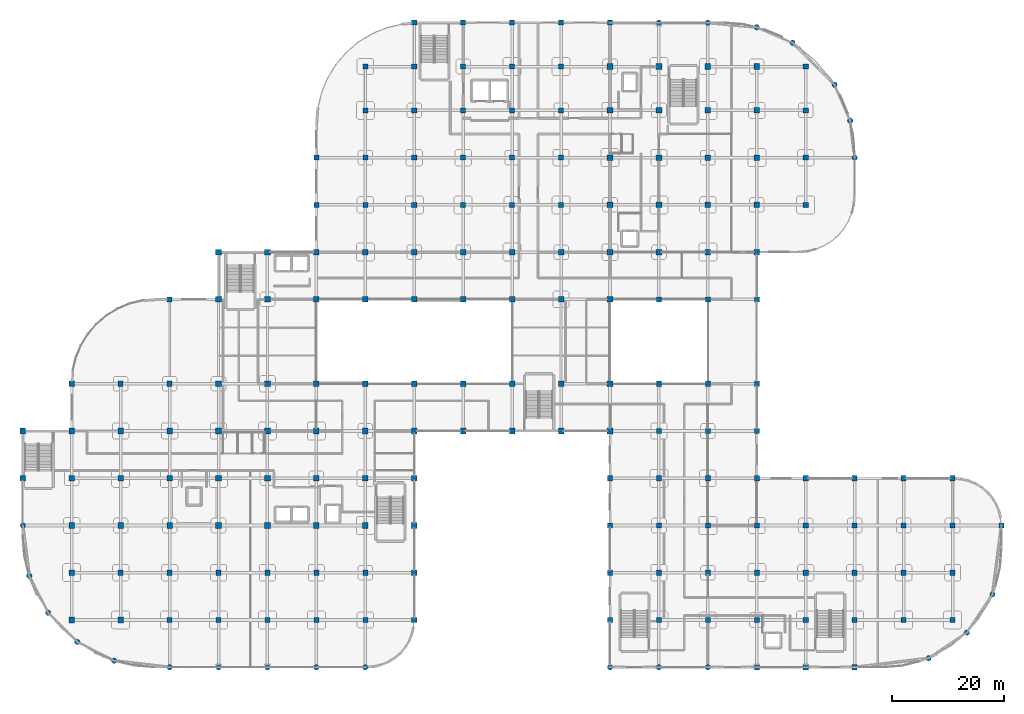
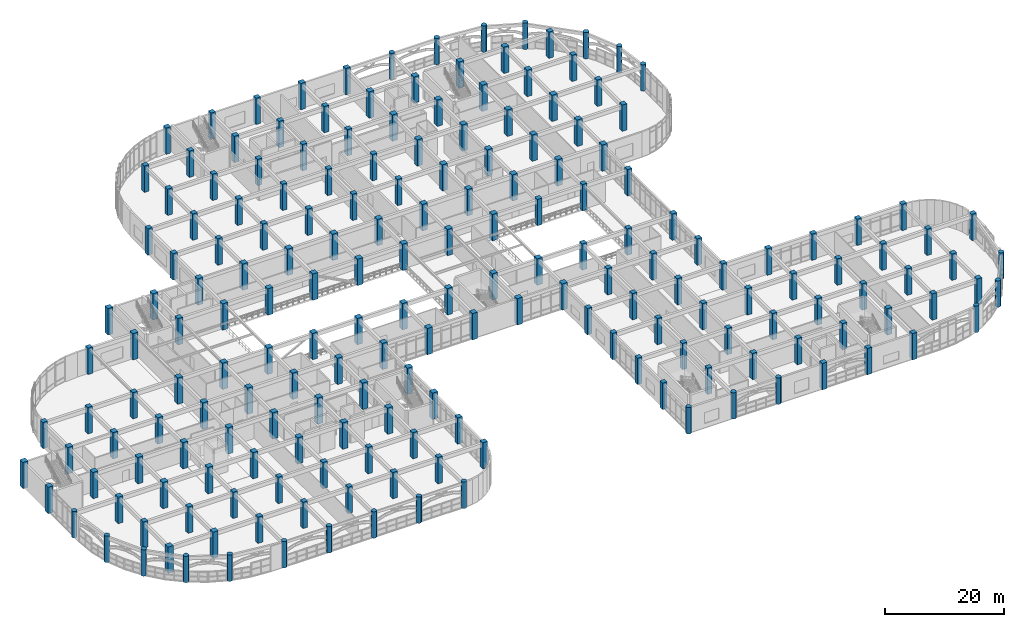
# One storey, part 1 of 114: 195 columns.
"""IFC4 building model written with IfcOpenShell, lengths in metres."""

from ifc_helpers import new_model, si_unit, derived_unit, direction, frame, origin, origin_2d, place, context, subcontext, project, spatial, rectangle, circle, extrude, material, material_profile, profile_set, type_object, element, save


model = new_model("IFC4")

# Units and contexts
model_context = context("Model", 3, precision=1e-05, world=origin(), true_north=direction((0.0, 1.0)))
body_context = subcontext(model_context, "Body", "Model", "MODEL_VIEW")
ifc_project = project(units=[si_unit("LENGTHUNIT", "METRE"), si_unit("AREAUNIT", "SQUARE_METRE"), si_unit("VOLUMEUNIT", "CUBIC_METRE"), si_unit("PLANEANGLEUNIT", "RADIAN"), si_unit("MASSUNIT", "GRAM", prefix="KILO"), derived_unit("THERMALTRANSMITTANCEUNIT", [(si_unit("MASSUNIT", "GRAM", prefix="KILO"), 1), (si_unit("TIMEUNIT", "SECOND"), -3), (si_unit("THERMODYNAMICTEMPERATUREUNIT", "KELVIN"), -1)])], contexts=[model_context])

# Site, building, storey
site_placement = place(None, origin())
site = spatial("IfcSite", under=ifc_project, at=site_placement, CompositionType="ELEMENT")
building_placement = place(site_placement, origin())
building = spatial("IfcBuilding", under=site, at=building_placement, Name="Qinzheling Arcade Emporium", CompositionType="ELEMENT")
storey_placement = place(building_placement, frame((0.0, 0.0, 6.0)))
storey = spatial("IfcBuildingStorey", under=building, at=storey_placement, Name="L02", CompositionType="ELEMENT", Elevation=6.0)

# Columns
ifc_material = material(Name="Concrete C50", Category="concrete")
ifc_material_profile_1 = material_profile(ifc_material, circle(Radius=0.47509765625, at=origin_2d()), Name="RC D950", Category="concrete")
ifc_profile_set_1 = profile_set([ifc_material_profile_1], Name="Concrete C50")
column_type_1 = type_object("IfcColumnType", Name="Arcade Pier Column D950 C50", PredefinedType="PILASTER", material=ifc_profile_set_1)
for number, where, z_axis, x_axis, name in (
    (1, (0.0, 25.199951171875, 0.0), (0.0, 0.0, 1.0), (1.0, 0.0, 0.0), "Column COL-L02-1-D"),
    (2, (26.10009765625, 0.0, 0.0), (0.0, 0.0, 1.0), (1.0, 0.0, 0.0), "Column COL-L02-4-A"),
    (3, (34.800048828125, 0.0, 0.0), (0.0, 0.0, 1.0), (1.0, 0.0, 0.0), "Column COL-L02-5-A"),
    (4, (43.5, 0.0, 0.0), (0.0, 0.0, 1.0), (1.0, 0.0, 0.0), "Column COL-L02-6-A"),
    (5, (52.199951171875, 0.0, 0.0), (0.0, 0.0, 1.0), (1.0, 0.0, 0.0), "Column COL-L02-7-A"),
    (6, (60.89990234375, 0.0, 0.0), (0.0, 0.0, 1.0), (1.0, 0.0, 0.0), "Column COL-L02-8-A"),
    (7, (104.39990234375, 0.0, 0.0), (0.0, 0.0, 1.0), (1.0, 0.0, 0.0), "Column COL-L02-13-A"),
    (8, (113.10009765625, 0.0, 0.0), (0.0, 0.0, 1.0), (1.0, 0.0, 0.0), "Column COL-L02-14-A"),
    (9, (113.10009765625, 114.60009765625, 0.0), (0.0, 0.0, 1.0), (1.0, 0.0, 0.0), "Column COL-L02-14-P"),
    (10, (121.800048828125, 0.0, 0.0), (0.0, 0.0, 1.0), (1.0, 0.0, 0.0), "Column COL-L02-15-A"),
    (11, (121.800048828125, 114.60009765625, 0.0), (0.0, 0.0, 1.0), (1.0, 0.0, 0.0), "Column COL-L02-15-P"),
    (12, (147.89990234375, 90.60009765625, 0.0), (0.0, 0.0, 1.0), (1.0, 0.0, 0.0), "Column COL-L02-18-L"),
    (13, (1.14990234375, 16.238037109375, 0.0), (0.0, 0.0, 1.0), (1.0, 0.0, 0.0), "Curved Arcade Pier COL-L02-CV1-P01"),
    (14, (4.488037109375, 9.68701171875, 0.0), (0.0, 0.0, 1.0), (1.0, 0.0, 0.0), "Curved Arcade Pier COL-L02-CV1-P02"),
    (15, (9.68701171875, 4.488037109375, 0.0), (0.0, 0.0, 1.0), (1.0, 0.0, 0.0), "Curved Arcade Pier COL-L02-CV1-P03"),
    (16, (16.238037109375, 1.14990234375, 0.0), (0.0, 0.0, 1.0), (1.0, 0.0, 0.0), "Curved Arcade Pier COL-L02-CV1-P04"),
    (17, (161.035888671875, 1.59912109375, 0.0), (0.0, 0.0, 1.0), (1.0, 0.0, 0.0), "Curved Arcade Pier COL-L02-CV4-P01"),
    (18, (167.84912109375, 6.15087890625, 0.0), (0.0, 0.0, 1.0), (1.0, 0.0, 0.0), "Curved Arcade Pier COL-L02-CV4-P02"),
    (19, (172.40087890625, 12.964111328125, 0.0), (0.0, 0.0, 1.0), (1.0, 0.0, 0.0), "Curved Arcade Pier COL-L02-CV4-P03"),
    (20, (147.09912109375, 97.181884765625, 0.0), (0.0, 0.0, 1.0), (1.0, 0.0, 0.0), "Curved Arcade Pier COL-L02-CV6-P01"),
    (21, (144.3291015625, 103.552978515625, 0.0), (0.0, 0.0, 1.0), (1.0, 0.0, 0.0), "Curved Arcade Pier COL-L02-CV6-P02"),
    (22, (136.85302734375, 111.029052734375, 0.0), (0.0, 0.0, 1.0), (1.0, 0.0, 0.0), "Curved Arcade Pier COL-L02-CV6-P03"),
    (23, (130.48193359375, 113.799072265625, 0.0), (0.0, 0.0, 1.0), (1.0, 0.0, 0.0), "Curved Arcade Pier COL-L02-CV6-P04"),
):
    element("IfcColumn", number, at=place(storey_placement, frame(where, z_axis=z_axis, x_axis=x_axis)), inside=storey, type_object=column_type_1, Name=name, PredefinedType="PILASTER", context=body_context, shape_type="SweptSolid", body=[
        extrude(circle(Radius=0.47509765625, at=origin_2d()), origin(), (0.0, 0.0, 1.0), 5.39990234375),
    ])
ifc_material_profile_2 = material_profile(ifc_material, rectangle(XDim=1.0, YDim=1.0, at=origin_2d()), Name="RC 1000x1000", Category="concrete")
ifc_profile_set_2 = profile_set([ifc_material_profile_2], Name="Concrete C50")
column_type_2 = type_object("IfcColumnType", Name="RC Column 1000x1000 C50", PredefinedType="COLUMN", material=ifc_profile_set_2)
for number, where, z_axis, x_axis, name in (
    (24, (0.0, 33.60009765625, 0.0), (0.0, 0.0, 1.0), (1.0, 0.0, 0.0), "Column COL-L02-1-E"),
    (25, (0.0, 42.0, 0.0), (0.0, 0.0, 1.0), (1.0, 0.0, 0.0), "Column COL-L02-1-F"),
    (26, (8.699951171875, 8.39990234375, 0.0), (0.0, 0.0, 1.0), (1.0, 0.0, 0.0), "Column COL-L02-2-B"),
    (27, (8.699951171875, 25.199951171875, 0.0), (0.0, 0.0, 1.0), (1.0, 0.0, 0.0), "Column COL-L02-2-D"),
    (28, (8.699951171875, 33.60009765625, 0.0), (0.0, 0.0, 1.0), (1.0, 0.0, 0.0), "Column COL-L02-2-E"),
    (29, (8.699951171875, 42.0, 0.0), (0.0, 0.0, 1.0), (1.0, 0.0, 0.0), "Column COL-L02-2-F"),
    (30, (17.39990234375, 8.39990234375, 0.0), (0.0, 0.0, 1.0), (1.0, 0.0, 0.0), "Column COL-L02-3-B"),
    (31, (17.39990234375, 25.199951171875, 0.0), (0.0, 0.0, 1.0), (1.0, 0.0, 0.0), "Column COL-L02-3-D"),
    (32, (17.39990234375, 33.60009765625, 0.0), (0.0, 0.0, 1.0), (1.0, 0.0, 0.0), "Column COL-L02-3-E"),
    (33, (17.39990234375, 42.0, 0.0), (0.0, 0.0, 1.0), (1.0, 0.0, 0.0), "Column COL-L02-3-F"),
    (34, (26.10009765625, 25.199951171875, 0.0), (0.0, 0.0, 1.0), (1.0, 0.0, 0.0), "Column COL-L02-4-D"),
    (35, (26.10009765625, 33.60009765625, 0.0), (0.0, 0.0, 1.0), (1.0, 0.0, 0.0), "Column COL-L02-4-E"),
    (36, (26.10009765625, 42.0, 0.0), (0.0, 0.0, 1.0), (1.0, 0.0, 0.0), "Column COL-L02-4-F"),
    (37, (34.800048828125, 25.199951171875, 0.0), (0.0, 0.0, 1.0), (1.0, 0.0, 0.0), "Column COL-L02-5-D"),
    (38, (34.800048828125, 33.60009765625, 0.0), (0.0, 0.0, 1.0), (1.0, 0.0, 0.0), "Column COL-L02-5-E"),
    (39, (34.800048828125, 42.0, 0.0), (0.0, 0.0, 1.0), (1.0, 0.0, 0.0), "Column COL-L02-5-F"),
    (40, (34.800048828125, 50.39990234375, 0.0), (0.0, 0.0, 1.0), (1.0, 0.0, 0.0), "Column COL-L02-5-G"),
    (41, (34.800048828125, 65.39990234375, 0.0), (0.0, 0.0, 1.0), (1.0, 0.0, 0.0), "Column COL-L02-5-H"),
    (42, (34.800048828125, 73.800048828125, 0.0), (0.0, 0.0, 1.0), (1.0, 0.0, 0.0), "Column COL-L02-5-J"),
    (43, (43.5, 25.199951171875, 0.0), (0.0, 0.0, 1.0), (1.0, 0.0, 0.0), "Column COL-L02-6-D"),
    (44, (43.5, 33.60009765625, 0.0), (0.0, 0.0, 1.0), (1.0, 0.0, 0.0), "Column COL-L02-6-E"),
    (45, (43.5, 42.0, 0.0), (0.0, 0.0, 1.0), (1.0, 0.0, 0.0), "Column COL-L02-6-F"),
    (46, (43.5, 50.39990234375, 0.0), (0.0, 0.0, 1.0), (1.0, 0.0, 0.0), "Column COL-L02-6-G"),
    (47, (43.5, 65.39990234375, 0.0), (0.0, 0.0, 1.0), (1.0, 0.0, 0.0), "Column COL-L02-6-H"),
    (48, (43.5, 73.800048828125, 0.0), (0.0, 0.0, 1.0), (1.0, 0.0, 0.0), "Column COL-L02-6-J"),
    (49, (52.199951171875, 25.199951171875, 0.0), (0.0, 0.0, 1.0), (1.0, 0.0, 0.0), "Column COL-L02-7-D"),
    (50, (52.199951171875, 33.60009765625, 0.0), (0.0, 0.0, 1.0), (1.0, 0.0, 0.0), "Column COL-L02-7-E"),
    (51, (52.199951171875, 42.0, 0.0), (0.0, 0.0, 1.0), (1.0, 0.0, 0.0), "Column COL-L02-7-F"),
    (52, (52.199951171875, 50.39990234375, 0.0), (0.0, 0.0, 1.0), (1.0, 0.0, 0.0), "Column COL-L02-7-G"),
    (53, (52.199951171875, 65.39990234375, 0.0), (0.0, 0.0, 1.0), (1.0, 0.0, 0.0), "Column COL-L02-7-H"),
    (54, (52.199951171875, 73.800048828125, 0.0), (0.0, 0.0, 1.0), (1.0, 0.0, 0.0), "Column COL-L02-7-J"),
    (55, (60.89990234375, 25.199951171875, 0.0), (0.0, 0.0, 1.0), (1.0, 0.0, 0.0), "Column COL-L02-8-D"),
    (56, (60.89990234375, 33.60009765625, 0.0), (0.0, 0.0, 1.0), (1.0, 0.0, 0.0), "Column COL-L02-8-E"),
    (57, (60.89990234375, 42.0, 0.0), (0.0, 0.0, 1.0), (1.0, 0.0, 0.0), "Column COL-L02-8-F"),
    (58, (60.89990234375, 50.39990234375, 0.0), (0.0, 0.0, 1.0), (1.0, 0.0, 0.0), "Column COL-L02-8-G"),
    (59, (60.89990234375, 65.39990234375, 0.0), (0.0, 0.0, 1.0), (1.0, 0.0, 0.0), "Column COL-L02-8-H"),
    (60, (60.89990234375, 73.800048828125, 0.0), (0.0, 0.0, 1.0), (1.0, 0.0, 0.0), "Column COL-L02-8-J"),
    (61, (69.60009765625, 25.199951171875, 0.0), (0.0, 0.0, 1.0), (1.0, 0.0, 0.0), "Column COL-L02-9-D"),
    (62, (69.60009765625, 33.60009765625, 0.0), (0.0, 0.0, 1.0), (1.0, 0.0, 0.0), "Column COL-L02-9-E"),
    (63, (69.60009765625, 42.0, 0.0), (0.0, 0.0, 1.0), (1.0, 0.0, 0.0), "Column COL-L02-9-F"),
    (64, (69.60009765625, 50.39990234375, 0.0), (0.0, 0.0, 1.0), (1.0, 0.0, 0.0), "Column COL-L02-9-G"),
    (65, (69.60009765625, 65.39990234375, 0.0), (0.0, 0.0, 1.0), (1.0, 0.0, 0.0), "Column COL-L02-9-H"),
    (66, (69.60009765625, 73.800048828125, 0.0), (0.0, 0.0, 1.0), (1.0, 0.0, 0.0), "Column COL-L02-9-J"),
    (67, (78.300048828125, 42.0, 0.0), (0.0, 0.0, 1.0), (1.0, 0.0, 0.0), "Column COL-L02-10-F"),
    (68, (78.300048828125, 50.39990234375, 0.0), (0.0, 0.0, 1.0), (1.0, 0.0, 0.0), "Column COL-L02-10-G"),
    (69, (78.300048828125, 65.39990234375, 0.0), (0.0, 0.0, 1.0), (1.0, 0.0, 0.0), "Column COL-L02-10-H"),
    (70, (78.300048828125, 73.800048828125, 0.0), (0.0, 0.0, 1.0), (1.0, 0.0, 0.0), "Column COL-L02-10-J"),
    (71, (87.0, 42.0, 0.0), (0.0, 0.0, 1.0), (1.0, 0.0, 0.0), "Column COL-L02-11-F"),
    (72, (87.0, 50.39990234375, 0.0), (0.0, 0.0, 1.0), (1.0, 0.0, 0.0), "Column COL-L02-11-G"),
    (73, (87.0, 65.39990234375, 0.0), (0.0, 0.0, 1.0), (1.0, 0.0, 0.0), "Column COL-L02-11-H"),
    (74, (87.0, 73.800048828125, 0.0), (0.0, 0.0, 1.0), (1.0, 0.0, 0.0), "Column COL-L02-11-J"),
    (75, (95.699951171875, 42.0, 0.0), (0.0, 0.0, 1.0), (1.0, 0.0, 0.0), "Column COL-L02-12-F"),
    (76, (95.699951171875, 50.39990234375, 0.0), (0.0, 0.0, 1.0), (1.0, 0.0, 0.0), "Column COL-L02-12-G"),
    (77, (95.699951171875, 65.39990234375, 0.0), (0.0, 0.0, 1.0), (1.0, 0.0, 0.0), "Column COL-L02-12-H"),
    (78, (95.699951171875, 73.800048828125, 0.0), (0.0, 0.0, 1.0), (1.0, 0.0, 0.0), "Column COL-L02-12-J"),
    (79, (104.39990234375, 42.0, 0.0), (0.0, 0.0, 1.0), (1.0, 0.0, 0.0), "Column COL-L02-13-F"),
    (80, (104.39990234375, 50.39990234375, 0.0), (0.0, 0.0, 1.0), (1.0, 0.0, 0.0), "Column COL-L02-13-G"),
    (81, (104.39990234375, 65.39990234375, 0.0), (0.0, 0.0, 1.0), (1.0, 0.0, 0.0), "Column COL-L02-13-H"),
    (82, (104.39990234375, 73.800048828125, 0.0), (0.0, 0.0, 1.0), (1.0, 0.0, 0.0), "Column COL-L02-13-J"),
    (83, (104.39990234375, 82.199951171875, 0.0), (0.0, 0.0, 1.0), (1.0, 0.0, 0.0), "Column COL-L02-13-K"),
    (84, (104.39990234375, 90.60009765625, 0.0), (0.0, 0.0, 1.0), (1.0, 0.0, 0.0), "Column COL-L02-13-L"),
    (85, (104.39990234375, 99.0, 0.0), (0.0, 0.0, 1.0), (1.0, 0.0, 0.0), "Column COL-L02-13-M"),
    (86, (104.39990234375, 106.800048828125, 0.0), (0.0, 0.0, 1.0), (1.0, 0.0, 0.0), "Column COL-L02-13-N"),
    (87, (113.10009765625, 73.800048828125, 0.0), (0.0, 0.0, 1.0), (1.0, 0.0, 0.0), "Column COL-L02-14-J"),
    (88, (113.10009765625, 82.199951171875, 0.0), (0.0, 0.0, 1.0), (1.0, 0.0, 0.0), "Column COL-L02-14-K"),
    (89, (113.10009765625, 90.60009765625, 0.0), (0.0, 0.0, 1.0), (1.0, 0.0, 0.0), "Column COL-L02-14-L"),
    (90, (113.10009765625, 99.0, 0.0), (0.0, 0.0, 1.0), (1.0, 0.0, 0.0), "Column COL-L02-14-M"),
    (91, (113.10009765625, 106.800048828125, 0.0), (0.0, 0.0, 1.0), (1.0, 0.0, 0.0), "Column COL-L02-14-N"),
    (92, (121.800048828125, 73.800048828125, 0.0), (0.0, 0.0, 1.0), (1.0, 0.0, 0.0), "Column COL-L02-15-J"),
    (93, (121.800048828125, 82.199951171875, 0.0), (0.0, 0.0, 1.0), (1.0, 0.0, 0.0), "Column COL-L02-15-K"),
    (94, (121.800048828125, 90.60009765625, 0.0), (0.0, 0.0, 1.0), (1.0, 0.0, 0.0), "Column COL-L02-15-L"),
    (95, (121.800048828125, 99.0, 0.0), (0.0, 0.0, 1.0), (1.0, 0.0, 0.0), "Column COL-L02-15-M"),
    (96, (121.800048828125, 106.800048828125, 0.0), (0.0, 0.0, 1.0), (1.0, 0.0, 0.0), "Column COL-L02-15-N"),
    (97, (130.5, 73.800048828125, 0.0), (0.0, 0.0, 1.0), (1.0, 0.0, 0.0), "Column COL-L02-16-J"),
    (98, (130.5, 82.199951171875, 0.0), (0.0, 0.0, 1.0), (1.0, 0.0, 0.0), "Column COL-L02-16-K"),
    (99, (130.5, 90.60009765625, 0.0), (0.0, 0.0, 1.0), (1.0, 0.0, 0.0), "Column COL-L02-16-L"),
    (100, (130.5, 99.0, 0.0), (0.0, 0.0, 1.0), (1.0, 0.0, 0.0), "Column COL-L02-16-M"),
    (101, (130.5, 106.800048828125, 0.0), (0.0, 0.0, 1.0), (1.0, 0.0, 0.0), "Column COL-L02-16-N"),
):
    element("IfcColumn", number, at=place(storey_placement, frame(where, z_axis=z_axis, x_axis=x_axis)), inside=storey, type_object=column_type_2, Name=name, PredefinedType="COLUMN", context=body_context, shape_type="SweptSolid", body=[
        extrude(rectangle(XDim=1.0, YDim=1.0, at=origin_2d()), origin(), (0.0, 0.0, 1.0), 5.39990234375),
    ])
ifc_material_profile_3 = material_profile(ifc_material, rectangle(XDim=0.89990234375, YDim=0.89990234375, at=origin_2d()), Name="RC 900x900", Category="concrete")
ifc_profile_set_3 = profile_set([ifc_material_profile_3], Name="Concrete C50")
column_type_3 = type_object("IfcColumnType", Name="RC Column 900x900 C50", PredefinedType="COLUMN", material=ifc_profile_set_3)
for number, where, z_axis, x_axis, name in (
    (102, (8.699951171875, 16.800048828125, 0.0), (0.0, 0.0, 1.0), (1.0, 0.0, 0.0), "Column COL-L02-2-C"),
    (103, (8.699951171875, 50.39990234375, 0.0), (0.0, 0.0, 1.0), (1.0, 0.0, 0.0), "Column COL-L02-2-G"),
    (104, (17.39990234375, 16.800048828125, 0.0), (0.0, 0.0, 1.0), (1.0, 0.0, 0.0), "Column COL-L02-3-C"),
    (105, (17.39990234375, 50.39990234375, 0.0), (0.0, 0.0, 1.0), (1.0, 0.0, 0.0), "Column COL-L02-3-G"),
    (106, (26.10009765625, 8.39990234375, 0.0), (0.0, 0.0, 1.0), (1.0, 0.0, 0.0), "Column COL-L02-4-B"),
    (107, (26.10009765625, 16.800048828125, 0.0), (0.0, 0.0, 1.0), (1.0, 0.0, 0.0), "Column COL-L02-4-C"),
    (108, (26.10009765625, 50.39990234375, 0.0), (0.0, 0.0, 1.0), (1.0, 0.0, 0.0), "Column COL-L02-4-G"),
    (109, (26.10009765625, 65.39990234375, 0.0), (0.0, 0.0, 1.0), (1.0, 0.0, 0.0), "Column COL-L02-4-H"),
    (110, (34.800048828125, 8.39990234375, 0.0), (0.0, 0.0, 1.0), (1.0, 0.0, 0.0), "Column COL-L02-5-B"),
    (111, (34.800048828125, 16.800048828125, 0.0), (0.0, 0.0, 1.0), (1.0, 0.0, 0.0), "Column COL-L02-5-C"),
    (112, (43.5, 8.39990234375, 0.0), (0.0, 0.0, 1.0), (1.0, 0.0, 0.0), "Column COL-L02-6-B"),
    (113, (43.5, 16.800048828125, 0.0), (0.0, 0.0, 1.0), (1.0, 0.0, 0.0), "Column COL-L02-6-C"),
    (114, (52.199951171875, 8.39990234375, 0.0), (0.0, 0.0, 1.0), (1.0, 0.0, 0.0), "Column COL-L02-7-B"),
    (115, (52.199951171875, 16.800048828125, 0.0), (0.0, 0.0, 1.0), (1.0, 0.0, 0.0), "Column COL-L02-7-C"),
    (116, (52.199951171875, 82.199951171875, 0.0), (0.0, 0.0, 1.0), (1.0, 0.0, 0.0), "Column COL-L02-7-K"),
    (117, (52.199951171875, 90.60009765625, 0.0), (0.0, 0.0, 1.0), (1.0, 0.0, 0.0), "Column COL-L02-7-L"),
    (118, (60.89990234375, 8.39990234375, 0.0), (0.0, 0.0, 1.0), (1.0, 0.0, 0.0), "Column COL-L02-8-B"),
    (119, (60.89990234375, 16.800048828125, 0.0), (0.0, 0.0, 1.0), (1.0, 0.0, 0.0), "Column COL-L02-8-C"),
    (120, (60.89990234375, 82.199951171875, 0.0), (0.0, 0.0, 1.0), (1.0, 0.0, 0.0), "Column COL-L02-8-K"),
    (121, (60.89990234375, 90.60009765625, 0.0), (0.0, 0.0, 1.0), (1.0, 0.0, 0.0), "Column COL-L02-8-L"),
    (122, (60.89990234375, 99.0, 0.0), (0.0, 0.0, 1.0), (1.0, 0.0, 0.0), "Column COL-L02-8-M"),
    (123, (60.89990234375, 106.800048828125, 0.0), (0.0, 0.0, 1.0), (1.0, 0.0, 0.0), "Column COL-L02-8-N"),
    (124, (69.60009765625, 8.39990234375, 0.0), (0.0, 0.0, 1.0), (1.0, 0.0, 0.0), "Column COL-L02-9-B"),
    (125, (69.60009765625, 16.800048828125, 0.0), (0.0, 0.0, 1.0), (1.0, 0.0, 0.0), "Column COL-L02-9-C"),
    (126, (69.60009765625, 82.199951171875, 0.0), (0.0, 0.0, 1.0), (1.0, 0.0, 0.0), "Column COL-L02-9-K"),
    (127, (69.60009765625, 90.60009765625, 0.0), (0.0, 0.0, 1.0), (1.0, 0.0, 0.0), "Column COL-L02-9-L"),
    (128, (69.60009765625, 99.0, 0.0), (0.0, 0.0, 1.0), (1.0, 0.0, 0.0), "Column COL-L02-9-M"),
    (129, (69.60009765625, 106.800048828125, 0.0), (0.0, 0.0, 1.0), (1.0, 0.0, 0.0), "Column COL-L02-9-N"),
    (130, (69.60009765625, 114.60009765625, 0.0), (0.0, 0.0, 1.0), (1.0, 0.0, 0.0), "Column COL-L02-9-P"),
    (131, (78.300048828125, 82.199951171875, 0.0), (0.0, 0.0, 1.0), (1.0, 0.0, 0.0), "Column COL-L02-10-K"),
    (132, (78.300048828125, 90.60009765625, 0.0), (0.0, 0.0, 1.0), (1.0, 0.0, 0.0), "Column COL-L02-10-L"),
    (133, (78.300048828125, 99.0, 0.0), (0.0, 0.0, 1.0), (1.0, 0.0, 0.0), "Column COL-L02-10-M"),
    (134, (78.300048828125, 106.800048828125, 0.0), (0.0, 0.0, 1.0), (1.0, 0.0, 0.0), "Column COL-L02-10-N"),
    (135, (78.300048828125, 114.60009765625, 0.0), (0.0, 0.0, 1.0), (1.0, 0.0, 0.0), "Column COL-L02-10-P"),
    (136, (87.0, 82.199951171875, 0.0), (0.0, 0.0, 1.0), (1.0, 0.0, 0.0), "Column COL-L02-11-K"),
    (137, (87.0, 90.60009765625, 0.0), (0.0, 0.0, 1.0), (1.0, 0.0, 0.0), "Column COL-L02-11-L"),
    (138, (87.0, 99.0, 0.0), (0.0, 0.0, 1.0), (1.0, 0.0, 0.0), "Column COL-L02-11-M"),
    (139, (87.0, 106.800048828125, 0.0), (0.0, 0.0, 1.0), (1.0, 0.0, 0.0), "Column COL-L02-11-N"),
    (140, (87.0, 114.60009765625, 0.0), (0.0, 0.0, 1.0), (1.0, 0.0, 0.0), "Column COL-L02-11-P"),
    (141, (95.699951171875, 82.199951171875, 0.0), (0.0, 0.0, 1.0), (1.0, 0.0, 0.0), "Column COL-L02-12-K"),
    (142, (95.699951171875, 90.60009765625, 0.0), (0.0, 0.0, 1.0), (1.0, 0.0, 0.0), "Column COL-L02-12-L"),
    (143, (95.699951171875, 99.0, 0.0), (0.0, 0.0, 1.0), (1.0, 0.0, 0.0), "Column COL-L02-12-M"),
    (144, (95.699951171875, 106.800048828125, 0.0), (0.0, 0.0, 1.0), (1.0, 0.0, 0.0), "Column COL-L02-12-N"),
    (145, (95.699951171875, 114.60009765625, 0.0), (0.0, 0.0, 1.0), (1.0, 0.0, 0.0), "Column COL-L02-12-P"),
    (146, (104.39990234375, 8.39990234375, 0.0), (0.0, 0.0, 1.0), (1.0, 0.0, 0.0), "Column COL-L02-13-B"),
    (147, (104.39990234375, 16.800048828125, 0.0), (0.0, 0.0, 1.0), (1.0, 0.0, 0.0), "Column COL-L02-13-C"),
    (148, (104.39990234375, 25.199951171875, 0.0), (0.0, 0.0, 1.0), (1.0, 0.0, 0.0), "Column COL-L02-13-D"),
    (149, (104.39990234375, 33.60009765625, 0.0), (0.0, 0.0, 1.0), (1.0, 0.0, 0.0), "Column COL-L02-13-E"),
    (150, (104.39990234375, 114.60009765625, 0.0), (0.0, 0.0, 1.0), (1.0, 0.0, 0.0), "Column COL-L02-13-P"),
    (151, (113.10009765625, 8.39990234375, 0.0), (0.0, 0.0, 1.0), (1.0, 0.0, 0.0), "Column COL-L02-14-B"),
    (152, (113.10009765625, 16.800048828125, 0.0), (0.0, 0.0, 1.0), (1.0, 0.0, 0.0), "Column COL-L02-14-C"),
    (153, (113.10009765625, 25.199951171875, 0.0), (0.0, 0.0, 1.0), (1.0, 0.0, 0.0), "Column COL-L02-14-D"),
    (154, (113.10009765625, 33.60009765625, 0.0), (0.0, 0.0, 1.0), (1.0, 0.0, 0.0), "Column COL-L02-14-E"),
    (155, (113.10009765625, 42.0, 0.0), (0.0, 0.0, 1.0), (1.0, 0.0, 0.0), "Column COL-L02-14-F"),
    (156, (113.10009765625, 50.39990234375, 0.0), (0.0, 0.0, 1.0), (1.0, 0.0, 0.0), "Column COL-L02-14-G"),
    (157, (113.10009765625, 65.39990234375, 0.0), (0.0, 0.0, 1.0), (1.0, 0.0, 0.0), "Column COL-L02-14-H"),
    (158, (121.800048828125, 8.39990234375, 0.0), (0.0, 0.0, 1.0), (1.0, 0.0, 0.0), "Column COL-L02-15-B"),
    (159, (121.800048828125, 16.800048828125, 0.0), (0.0, 0.0, 1.0), (1.0, 0.0, 0.0), "Column COL-L02-15-C"),
    (160, (121.800048828125, 25.199951171875, 0.0), (0.0, 0.0, 1.0), (1.0, 0.0, 0.0), "Column COL-L02-15-D"),
    (161, (121.800048828125, 33.60009765625, 0.0), (0.0, 0.0, 1.0), (1.0, 0.0, 0.0), "Column COL-L02-15-E"),
    (162, (121.800048828125, 42.0, 0.0), (0.0, 0.0, 1.0), (1.0, 0.0, 0.0), "Column COL-L02-15-F"),
    (163, (121.800048828125, 50.39990234375, 0.0), (0.0, 0.0, 1.0), (1.0, 0.0, 0.0), "Column COL-L02-15-G"),
    (164, (121.800048828125, 65.39990234375, 0.0), (0.0, 0.0, 1.0), (1.0, 0.0, 0.0), "Column COL-L02-15-H"),
    (165, (130.5, 0.0, 0.0), (0.0, 0.0, 1.0), (1.0, 0.0, 0.0), "Column COL-L02-16-A"),
    (166, (130.5, 8.39990234375, 0.0), (0.0, 0.0, 1.0), (1.0, 0.0, 0.0), "Column COL-L02-16-B"),
    (167, (130.5, 16.800048828125, 0.0), (0.0, 0.0, 1.0), (1.0, 0.0, 0.0), "Column COL-L02-16-C"),
    (168, (130.5, 25.199951171875, 0.0), (0.0, 0.0, 1.0), (1.0, 0.0, 0.0), "Column COL-L02-16-D"),
    (169, (130.5, 33.60009765625, 0.0), (0.0, 0.0, 1.0), (1.0, 0.0, 0.0), "Column COL-L02-16-E"),
    (170, (130.5, 42.0, 0.0), (0.0, 0.0, 1.0), (1.0, 0.0, 0.0), "Column COL-L02-16-F"),
    (171, (130.5, 50.39990234375, 0.0), (0.0, 0.0, 1.0), (1.0, 0.0, 0.0), "Column COL-L02-16-G"),
    (172, (130.5, 65.39990234375, 0.0), (0.0, 0.0, 1.0), (1.0, 0.0, 0.0), "Column COL-L02-16-H"),
    (173, (139.199951171875, 0.0, 0.0), (0.0, 0.0, 1.0), (1.0, 0.0, 0.0), "Column COL-L02-17-A"),
    (174, (139.199951171875, 8.39990234375, 0.0), (0.0, 0.0, 1.0), (1.0, 0.0, 0.0), "Column COL-L02-17-B"),
    (175, (139.199951171875, 16.800048828125, 0.0), (0.0, 0.0, 1.0), (1.0, 0.0, 0.0), "Column COL-L02-17-C"),
    (176, (139.199951171875, 25.199951171875, 0.0), (0.0, 0.0, 1.0), (1.0, 0.0, 0.0), "Column COL-L02-17-D"),
    (177, (139.199951171875, 33.60009765625, 0.0), (0.0, 0.0, 1.0), (1.0, 0.0, 0.0), "Column COL-L02-17-E"),
    (178, (139.199951171875, 82.199951171875, 0.0), (0.0, 0.0, 1.0), (1.0, 0.0, 0.0), "Column COL-L02-17-K"),
    (179, (139.199951171875, 90.60009765625, 0.0), (0.0, 0.0, 1.0), (1.0, 0.0, 0.0), "Column COL-L02-17-L"),
    (180, (139.199951171875, 99.0, 0.0), (0.0, 0.0, 1.0), (1.0, 0.0, 0.0), "Column COL-L02-17-M"),
    (181, (139.199951171875, 106.800048828125, 0.0), (0.0, 0.0, 1.0), (1.0, 0.0, 0.0), "Column COL-L02-17-N"),
    (182, (147.89990234375, 0.0, 0.0), (0.0, 0.0, 1.0), (1.0, 0.0, 0.0), "Column COL-L02-18-A"),
    (183, (147.89990234375, 8.39990234375, 0.0), (0.0, 0.0, 1.0), (1.0, 0.0, 0.0), "Column COL-L02-18-B"),
    (184, (147.89990234375, 16.800048828125, 0.0), (0.0, 0.0, 1.0), (1.0, 0.0, 0.0), "Column COL-L02-18-C"),
    (185, (147.89990234375, 25.199951171875, 0.0), (0.0, 0.0, 1.0), (1.0, 0.0, 0.0), "Column COL-L02-18-D"),
    (186, (147.89990234375, 33.60009765625, 0.0), (0.0, 0.0, 1.0), (1.0, 0.0, 0.0), "Column COL-L02-18-E"),
    (187, (156.60009765625, 8.39990234375, 0.0), (0.0, 0.0, 1.0), (1.0, 0.0, 0.0), "Column COL-L02-19-B"),
    (188, (156.60009765625, 16.800048828125, 0.0), (0.0, 0.0, 1.0), (1.0, 0.0, 0.0), "Column COL-L02-19-C"),
    (189, (156.60009765625, 25.199951171875, 0.0), (0.0, 0.0, 1.0), (1.0, 0.0, 0.0), "Column COL-L02-19-D"),
    (190, (156.60009765625, 33.60009765625, 0.0), (0.0, 0.0, 1.0), (1.0, 0.0, 0.0), "Column COL-L02-19-E"),
    (191, (165.300048828125, 8.39990234375, 0.0), (0.0, 0.0, 1.0), (1.0, 0.0, 0.0), "Column COL-L02-20-B"),
    (192, (165.300048828125, 16.800048828125, 0.0), (0.0, 0.0, 1.0), (1.0, 0.0, 0.0), "Column COL-L02-20-C"),
    (193, (165.300048828125, 25.199951171875, 0.0), (0.0, 0.0, 1.0), (1.0, 0.0, 0.0), "Column COL-L02-20-D"),
    (194, (165.300048828125, 33.60009765625, 0.0), (0.0, 0.0, 1.0), (1.0, 0.0, 0.0), "Column COL-L02-20-E"),
    (195, (174.0, 25.199951171875, 0.0), (0.0, 0.0, 1.0), (1.0, 0.0, 0.0), "Column COL-L02-21-D"),
):
    element("IfcColumn", number, at=place(storey_placement, frame(where, z_axis=z_axis, x_axis=x_axis)), inside=storey, type_object=column_type_3, Name=name, PredefinedType="COLUMN", context=body_context, shape_type="SweptSolid", body=[
        extrude(rectangle(XDim=0.89990234375, YDim=0.89990234375, at=origin_2d()), origin(), (0.0, 0.0, 1.0), 5.39990234375),
    ])

save(model, "model.ifc")
